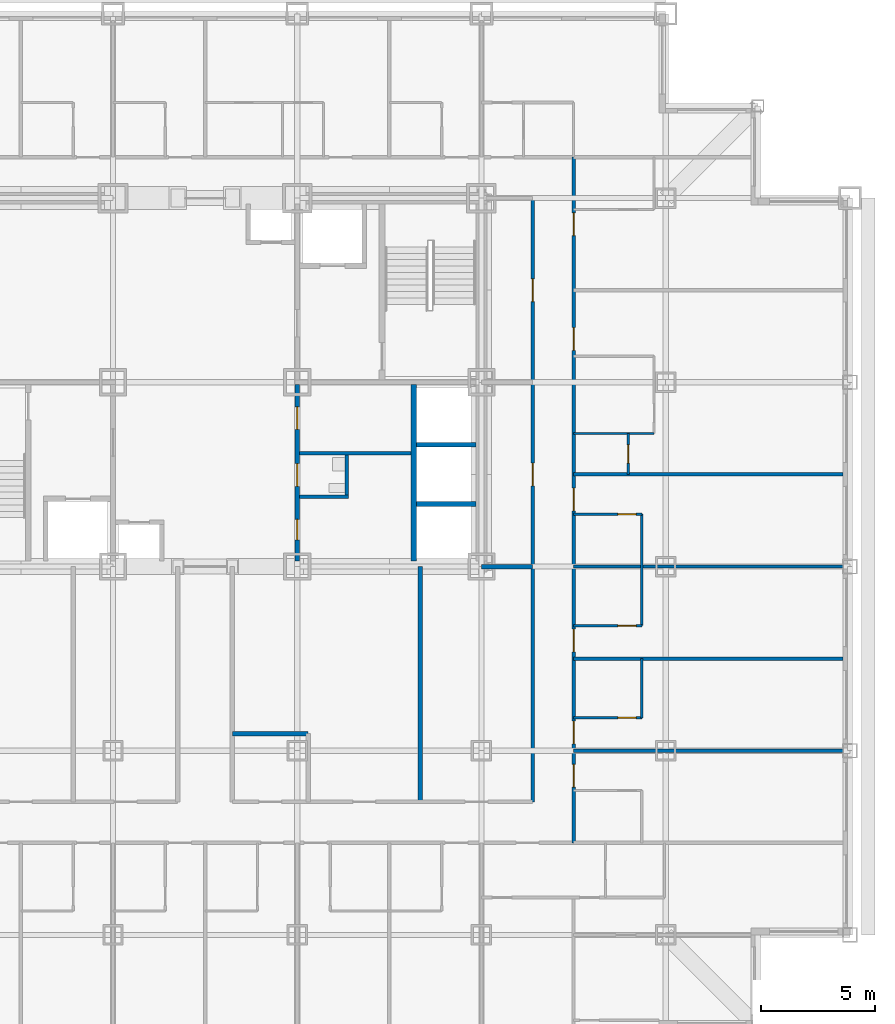
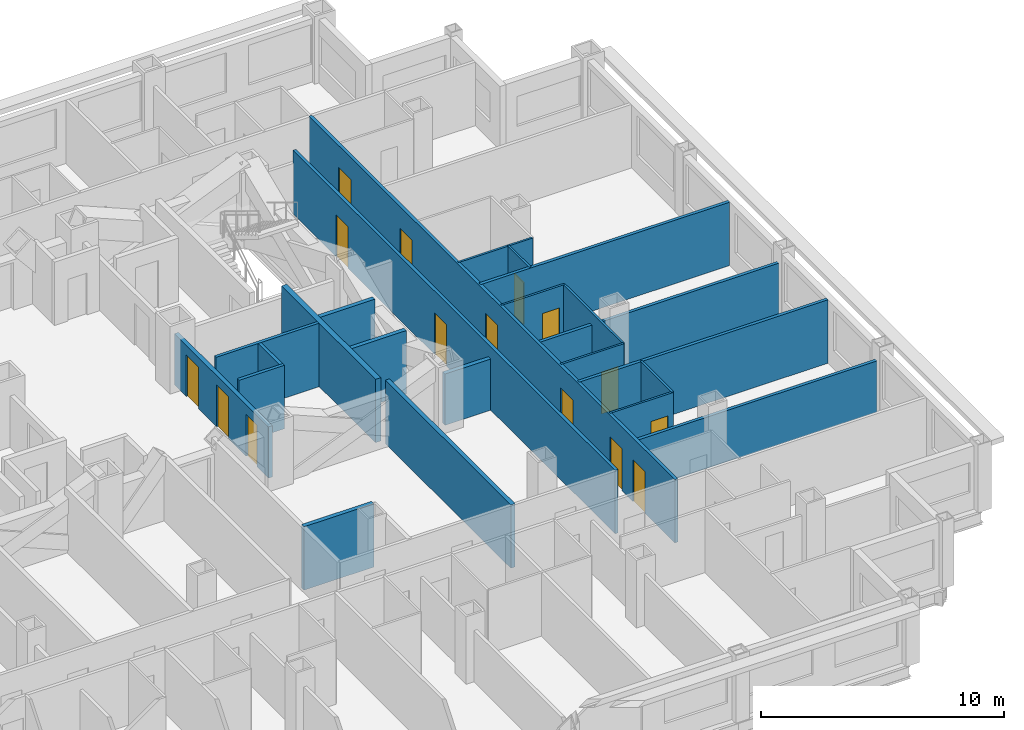
# One storey, part 7 of 13: 23 walls, 15 doors, 15 openings.
"""IFC4 building model written with IfcOpenShell, lengths in metres."""

from ifc_helpers import new_model, si_unit, direction, frame, frame_2d, origin, place, context, subcontext, project, spatial, rectangle, extrude, material, layer, layer_set, type_object, element, fill, save


model = new_model("IFC4")

# Units and contexts
model_context = context("Model", 3, precision=1e-05, world=origin(), true_north=direction((0.0, 1.0)))
body_context = subcontext(model_context, "Body", "Model", "MODEL_VIEW")
ifc_project = project(units=[si_unit("LENGTHUNIT", "METRE"), si_unit("AREAUNIT", "SQUARE_METRE"), si_unit("VOLUMEUNIT", "CUBIC_METRE"), si_unit("PLANEANGLEUNIT", "RADIAN"), si_unit("MASSUNIT", "GRAM", prefix="KILO")], contexts=[model_context])

# Site, building, storey
site_placement = place(None, origin())
site = spatial("IfcSite", under=ifc_project, at=site_placement, CompositionType="ELEMENT")
building_placement = place(site_placement, origin())
building = spatial("IfcBuilding", under=site, at=building_placement, Name="Kopane Lantern Tower", CompositionType="ELEMENT")
storey_placement = place(building_placement, frame((0.0, 0.0, 63.60009765625)))
storey = spatial("IfcBuildingStorey", under=building, at=storey_placement, Name="L15", CompositionType="ELEMENT", Elevation=63.60009765625)

# Wall
ifc_material_1 = material(Name="Moisture-resistant board on steel studs", Category="steel")
ifc_layer_1 = layer(ifc_material_1, 0.10009765625)
ifc_layer_set_1 = layer_set([ifc_layer_1], Name="BATHROOM WALL 100")
wall_type_1 = type_object("IfcWallType", Name="BATHROOM WALL 100", PredefinedType="PARTITIONING", material=ifc_layer_set_1)
wall_1_placement = place(storey_placement, frame((47.550048828125, 17.64990234375, 0.0), z_axis=(0.0, 0.0, 1.0), x_axis=(0.0, 1.0, 0.0)))
element("IfcWall", 1, at=wall_1_placement, inside=storey, type_object=wall_type_1, Name="Bathroom Wall 100 L15", PredefinedType="PARTITIONING", context=body_context, shape_type="SweptSolid", body=[
    extrude(rectangle(XDim=2.60009765625, YDim=0.10009765625, at=frame_2d((1.300048828125, 0.0))), origin(), (0.0, 0.0, 1.0), 3.18994140625),
])

# Wall, opening, door
wall_2_placement = place(storey_placement, frame((44.550048828125, 17.64990234375, 0.0), z_axis=(0.0, 0.0, 1.0), x_axis=(1.0, 0.0, 0.0)))
wall_2 = element("IfcWall", 2, at=wall_2_placement, inside=storey, type_object=wall_type_1, Name="Bathroom Wall 100 L15", PredefinedType="PARTITIONING", context=body_context, shape_type="SweptSolid", body=[
    extrude(rectangle(XDim=3.0, YDim=0.10009765625, at=frame_2d((1.5, 0.0))), origin(), (0.0, 0.0, 1.0), 3.18994140625),
])
opening_1_placement = place(wall_2_placement, frame((1.949951171875, 0.0, 0.0)))
opening_1 = element("IfcOpeningElement", 3, at=opening_1_placement, cuts=wall_2, Name="Opening L15-056", PredefinedType="OPENING", context=body_context, shape_type="SweptSolid", body=[
    extrude(rectangle(XDim=0.800048828125, YDim=2.10009765625, at=frame_2d((0.39990234375, 1.050048828125))), frame((0.0, 0.06005859375, 0.0), z_axis=(0.0, -1.0, 0.0), x_axis=(1.0, 0.0, 0.0)), (0.0, 0.0, 1.0), 0.1201171875),
])
ifc_material_2 = material(Name="Timber door set", Category="wood")
door_type_1 = type_object("IfcDoorType", Name="DOOR D2 800x2100", OperationType="SINGLE_SWING_LEFT", PredefinedType="DOOR", material=ifc_material_2)
door_1_placement = place(opening_1_placement, origin())
door_1 = element("IfcDoor", 4, at=door_1_placement, inside=storey, type_object=door_type_1, Name="Door L15-056", OperationType="SINGLE_SWING_RIGHT", OverallHeight=2.10009765625, OverallWidth=0.800048828125, PredefinedType="DOOR", context=body_context, shape_type="SweptSolid", body=[
    extrude(rectangle(XDim=0.800048828125, YDim=2.10009765625, at=frame_2d((0.39990234375, 1.050048828125))), frame((0.0, 0.02490234375, 0.0), z_axis=(0.0, -1.0, 0.0), x_axis=(1.0, 0.0, 0.0)), (0.0, 0.0, 1.0), 0.050048828125),
])
fill(opening_1, door_1)

# Wall
wall_3_placement = place(storey_placement, frame((47.550048828125, 21.699951171875, 0.0), z_axis=(0.0, 0.0, 1.0), x_axis=(0.0, 1.0, 0.0)))
element("IfcWall", 5, at=wall_3_placement, inside=storey, type_object=wall_type_1, Name="Bathroom Wall 100 L15", PredefinedType="PARTITIONING", context=body_context, shape_type="SweptSolid", body=[
    extrude(rectangle(XDim=4.900146484375, YDim=0.10009765625, at=frame_2d((2.4501953125, 0.0))), origin(), (0.0, 0.0, 1.0), 3.18994140625),
])

# Wall, opening, door
wall_4_placement = place(storey_placement, frame((44.550048828125, 21.699951171875, 0.0), z_axis=(0.0, 0.0, 1.0), x_axis=(1.0, 0.0, 0.0)))
wall_4 = element("IfcWall", 6, at=wall_4_placement, inside=storey, type_object=wall_type_1, Name="Bathroom Wall 100 L15", PredefinedType="PARTITIONING", context=body_context, shape_type="SweptSolid", body=[
    extrude(rectangle(XDim=3.0, YDim=0.10009765625, at=frame_2d((1.5, 0.0))), origin(), (0.0, 0.0, 1.0), 3.18994140625),
])
opening_2_placement = place(wall_4_placement, frame((1.949951171875, 0.0, 0.0)))
opening_2 = element("IfcOpeningElement", 7, at=opening_2_placement, cuts=wall_4, Name="Opening L15-058", PredefinedType="OPENING", context=body_context, shape_type="SweptSolid", body=[
    extrude(rectangle(XDim=0.800048828125, YDim=2.10009765625, at=frame_2d((0.39990234375, 1.050048828125))), frame((0.0, 0.06005859375, 0.0), z_axis=(0.0, -1.0, 0.0), x_axis=(1.0, 0.0, 0.0)), (0.0, 0.0, 1.0), 0.1201171875),
])
door_2_placement = place(opening_2_placement, origin())
door_2 = element("IfcDoor", 8, at=door_2_placement, inside=storey, type_object=door_type_1, Name="Door L15-058", OperationType="SINGLE_SWING_RIGHT", OverallHeight=2.10009765625, OverallWidth=0.800048828125, PredefinedType="DOOR", context=body_context, shape_type="SweptSolid", body=[
    extrude(rectangle(XDim=0.800048828125, YDim=2.10009765625, at=frame_2d((0.39990234375, 1.050048828125))), frame((0.0, 0.02490234375, 0.0), z_axis=(0.0, -1.0, 0.0), x_axis=(1.0, 0.0, 0.0)), (0.0, 0.0, 1.0), 0.050048828125),
])
fill(opening_2, door_2)

wall_5_placement = place(storey_placement, frame((44.550048828125, 26.60009765625, 0.0), z_axis=(0.0, 0.0, 1.0), x_axis=(1.0, 0.0, 0.0)))
wall_5 = element("IfcWall", 9, at=wall_5_placement, inside=storey, type_object=wall_type_1, Name="Bathroom Wall 100 L15", PredefinedType="PARTITIONING", context=body_context, shape_type="SweptSolid", body=[
    extrude(rectangle(XDim=3.0, YDim=0.10009765625, at=frame_2d((1.5, 0.0))), origin(), (0.0, 0.0, 1.0), 3.18994140625),
])
opening_3_placement = place(wall_5_placement, frame((1.949951171875, 0.0, 0.0)))
opening_3 = element("IfcOpeningElement", 10, at=opening_3_placement, cuts=wall_5, Name="Opening L15-060", PredefinedType="OPENING", context=body_context, shape_type="SweptSolid", body=[
    extrude(rectangle(XDim=0.800048828125, YDim=2.10009765625, at=frame_2d((0.39990234375, 1.050048828125))), frame((0.0, 0.06005859375, 0.0), z_axis=(0.0, -1.0, 0.0), x_axis=(1.0, 0.0, 0.0)), (0.0, 0.0, 1.0), 0.1201171875),
])
door_3_placement = place(opening_3_placement, origin())
door_3 = element("IfcDoor", 11, at=door_3_placement, inside=storey, type_object=door_type_1, Name="Door L15-060", OperationType="SINGLE_SWING_LEFT", OverallHeight=2.10009765625, OverallWidth=0.800048828125, PredefinedType="DOOR", context=body_context, shape_type="SweptSolid", body=[
    extrude(rectangle(XDim=0.800048828125, YDim=2.10009765625, at=frame_2d((0.39990234375, 1.050048828125))), frame((0.0, 0.02490234375, 0.0), z_axis=(0.0, -1.0, 0.0), x_axis=(1.0, 0.0, 0.0)), (0.0, 0.0, 1.0), 0.050048828125),
])
fill(opening_3, door_3)

wall_6_placement = place(storey_placement, frame((46.949951171875, 28.35009765625, 0.0), z_axis=(0.0, 0.0, 1.0), x_axis=(0.0, 1.0, 0.0)))
wall_6 = element("IfcWall", 12, at=wall_6_placement, inside=storey, type_object=wall_type_1, Name="Bathroom Wall 100 L15", PredefinedType="PARTITIONING", context=body_context, shape_type="SweptSolid", body=[
    extrude(rectangle(XDim=1.7998046875, YDim=0.10009765625, at=frame_2d((0.89990234375, 0.0))), origin(), (0.0, 0.0, 1.0), 3.18994140625),
])
opening_4_placement = place(wall_6_placement, frame((0.5, 0.0, 0.0)))
opening_4 = element("IfcOpeningElement", 13, at=opening_4_placement, cuts=wall_6, Name="Opening L15-063", PredefinedType="OPENING", context=body_context, shape_type="SweptSolid", body=[
    extrude(rectangle(XDim=0.800048828125, YDim=2.10009765625, at=frame_2d((0.39990234375, 1.050048828125))), frame((0.0, 0.06005859375, 0.0), z_axis=(0.0, -1.0, 0.0), x_axis=(1.0, 0.0, 0.0)), (0.0, 0.0, 1.0), 0.1201171875),
])
door_4_placement = place(opening_4_placement, origin())
door_4 = element("IfcDoor", 14, at=door_4_placement, inside=storey, type_object=door_type_1, Name="Door L15-063", OperationType="SINGLE_SWING_LEFT", OverallHeight=2.10009765625, OverallWidth=0.800048828125, PredefinedType="DOOR", context=body_context, shape_type="SweptSolid", body=[
    extrude(rectangle(XDim=0.800048828125, YDim=2.10009765625, at=frame_2d((0.39990234375, 1.050048828125))), frame((0.0, 0.02490234375, 0.0), z_axis=(0.0, -1.0, 0.0), x_axis=(1.0, 0.0, 0.0)), (0.0, 0.0, 1.0), 0.050048828125),
])
fill(opening_4, door_4)

# Walls
wall_7_placement = place(storey_placement, frame((44.550048828125, 30.14990234375, 0.0), z_axis=(0.0, 0.0, 1.0), x_axis=(1.0, 0.0, 0.0)))
element("IfcWall", 15, at=wall_7_placement, inside=storey, type_object=wall_type_1, Name="Bathroom Wall 100 L15", PredefinedType="PARTITIONING", context=body_context, shape_type="SweptSolid", body=[
    extrude(rectangle(XDim=3.5400390625, YDim=0.10009765625, at=frame_2d((1.77001953125, 0.0))), origin(), (0.0, 0.0, 1.0), 3.18994140625),
])
ifc_material_3 = material(Name="Gypsum partition EI 60", Category="gypsum")
ifc_layer_2 = layer(ifc_material_3, 0.14990234375)
ifc_layer_set_2 = layer_set([ifc_layer_2], Name="CORE ROOM PARTITION 150 EI 60")
wall_type_2 = type_object("IfcWallType", Name="CORE ROOM PARTITION 150 EI 60", PredefinedType="PARTITIONING", material=ifc_layer_set_2)
wall_8_placement = place(storey_placement, frame((32.5, 27.375, 0.0), z_axis=(0.0, 0.0, 1.0), x_axis=(1.0, 0.0, 0.0)))
element("IfcWall", 16, at=wall_8_placement, inside=storey, type_object=wall_type_2, Name="Core room partition L15 E1", PredefinedType="PARTITIONING", context=body_context, shape_type="SweptSolid", body=[
    extrude(rectangle(XDim=2.14990234375, YDim=0.14990234375, at=frame_2d((1.074951171875, 0.0))), origin(), (0.0, 0.0, 1.0), 3.18994140625),
])
wall_9_placement = place(storey_placement, frame((32.5, 29.27490234375, 0.0), z_axis=(0.0, 0.0, 1.0), x_axis=(1.0, 0.0, 0.0)))
element("IfcWall", 17, at=wall_9_placement, inside=storey, type_object=wall_type_2, Name="Core room partition L15 E2", PredefinedType="PARTITIONING", context=body_context, shape_type="SweptSolid", body=[
    extrude(rectangle(XDim=4.89990234375, YDim=0.14990234375, at=frame_2d((2.449951171875, 0.0))), origin(), (0.0, 0.0, 1.0), 3.18994140625),
])
wall_10_placement = place(storey_placement, frame((34.574951171875, 27.449951171875, 0.0), z_axis=(0.0, 0.0, 1.0), x_axis=(0.0, 1.0, 0.0)))
element("IfcWall", 18, at=wall_10_placement, inside=storey, type_object=wall_type_2, Name="Core room partition L15 EB1", PredefinedType="PARTITIONING", context=body_context, shape_type="SweptSolid", body=[
    extrude(rectangle(XDim=1.75, YDim=0.14990234375, at=frame_2d((0.875, 0.0))), origin(), (0.0, 0.0, 1.0), 3.18994140625),
])

# Wall, openings, doors
ifc_material_4 = material(Name="Gypsum partition EI 60", Category="gypsum")
ifc_layer_3 = layer(ifc_material_4, 0.199951171875)
ifc_layer_set_3 = layer_set([ifc_layer_3], Name="CORE ROOM WALL 200 EI 60")
wall_type_3 = type_object("IfcWallType", Name="CORE ROOM WALL 200 EI 60", PredefinedType="PARTITIONING", material=ifc_layer_set_3)
wall_11_placement = place(storey_placement, frame((32.39990234375, 24.550048828125, 0.0), z_axis=(0.0, 0.0, 1.0), x_axis=(0.0, 1.0, 0.0)))
wall_11 = element("IfcWall", 19, at=wall_11_placement, inside=storey, type_object=wall_type_3, Name="Core room wall L15 XE", PredefinedType="PARTITIONING", context=body_context, shape_type="SweptSolid", body=[
    extrude(rectangle(XDim=7.75, YDim=0.199951171875, at=frame_2d((3.875, 0.0))), origin(), (0.0, 0.0, 1.0), 2.57763671875),
])
opening_5_placement = place(wall_11_placement, frame((0.925048828125, 0.0, 0.0)))
opening_5 = element("IfcOpeningElement", 20, at=opening_5_placement, cuts=wall_11, Name="Opening 15.C20", PredefinedType="OPENING", context=body_context, shape_type="SweptSolid", body=[
    extrude(rectangle(XDim=0.89990234375, YDim=2.10009765625, at=frame_2d((0.449951171875, 1.050048828125))), frame((0.0, 0.10986328125, 0.0), z_axis=(0.0, -1.0, 0.0), x_axis=(1.0, 0.0, 0.0)), (0.0, 0.0, 1.0), 0.219970703125),
])
opening_6_placement = place(wall_11_placement, frame((3.27490234375, 0.0, 0.0)))
opening_6 = element("IfcOpeningElement", 21, at=opening_6_placement, cuts=wall_11, Name="Opening 15.C21", PredefinedType="OPENING", context=body_context, shape_type="SweptSolid", body=[
    extrude(rectangle(XDim=1.0, YDim=2.10009765625, at=frame_2d((0.5, 1.050048828125))), frame((0.0, 0.10986328125, 0.0), z_axis=(0.0, -1.0, 0.0), x_axis=(1.0, 0.0, 0.0)), (0.0, 0.0, 1.0), 0.219970703125),
])
opening_7_placement = place(wall_11_placement, frame((5.77490234375, 0.0, 0.0)))
opening_7 = element("IfcOpeningElement", 22, at=opening_7_placement, cuts=wall_11, Name="Opening 15.C22", PredefinedType="OPENING", context=body_context, shape_type="SweptSolid", body=[
    extrude(rectangle(XDim=1.0, YDim=2.10009765625, at=frame_2d((0.5, 1.050048828125))), frame((0.0, 0.10986328125, 0.0), z_axis=(0.0, -1.0, 0.0), x_axis=(1.0, 0.0, 0.0)), (0.0, 0.0, 1.0), 0.219970703125),
])
ifc_material_5 = material(Name="Steel door set", Category="steel")
door_type_2 = type_object("IfcDoorType", Name="CORE ROOM DOOR 1000x2100 FD30S", OperationType="SINGLE_SWING_RIGHT", PredefinedType="DOOR", material=ifc_material_5)
door_5_placement = place(opening_6_placement, origin())
door_5 = element("IfcDoor", 23, at=door_5_placement, inside=storey, type_object=door_type_2, Name="Door Staff WC L15", OperationType="SINGLE_SWING_LEFT", OverallHeight=2.10009765625, OverallWidth=1.0, PredefinedType="DOOR", context=body_context, shape_type="SweptSolid", body=[
    extrude(rectangle(XDim=1.0, YDim=2.10009765625, at=frame_2d((0.5, 1.050048828125))), frame((0.0, 0.02490234375, 0.0), z_axis=(0.0, -1.0, 0.0), x_axis=(1.0, 0.0, 0.0)), (0.0, 0.0, 1.0), 0.050048828125),
])
fill(opening_6, door_5)
door_6_placement = place(opening_7_placement, origin())
door_6 = element("IfcDoor", 24, at=door_6_placement, inside=storey, type_object=door_type_2, Name="Door Guest pantry L15", OperationType="SINGLE_SWING_RIGHT", OverallHeight=2.10009765625, OverallWidth=1.0, PredefinedType="DOOR", context=body_context, shape_type="SweptSolid", body=[
    extrude(rectangle(XDim=1.0, YDim=2.10009765625, at=frame_2d((0.5, 1.050048828125))), frame((0.0, 0.02490234375, 0.0), z_axis=(0.0, -1.0, 0.0), x_axis=(1.0, 0.0, 0.0)), (0.0, 0.0, 1.0), 0.050048828125),
])
fill(opening_7, door_6)
ifc_material_6 = material(Name="Steel door set", Category="steel")
door_type_3 = type_object("IfcDoorType", Name="CORE ROOM DOOR 900x2100 FD60", OperationType="SINGLE_SWING_LEFT", PredefinedType="DOOR", material=ifc_material_6)
door_7_placement = place(opening_5_placement, origin())
door_7 = element("IfcDoor", 25, at=door_7_placement, inside=storey, type_object=door_type_3, Name="Door Luggage store L15", OperationType="SINGLE_SWING_LEFT", OverallHeight=2.10009765625, OverallWidth=0.89990234375, PredefinedType="DOOR", context=body_context, shape_type="SweptSolid", body=[
    extrude(rectangle(XDim=0.89990234375, YDim=2.10009765625, at=frame_2d((0.449951171875, 1.050048828125))), frame((0.0, 0.02490234375, 0.0), z_axis=(0.0, -1.0, 0.0), x_axis=(1.0, 0.0, 0.0)), (0.0, 0.0, 1.0), 0.050048828125),
])
fill(opening_5, door_7)

# Wall
ifc_material_7 = material(Name="Gypsum shaft wall EI 120", Category="gypsum")
ifc_layer_4 = layer(ifc_material_7, 0.25)
ifc_layer_set_4 = layer_set([ifc_layer_4], Name="CORE SHAFT WALL 250 EI 120")
wall_type_4 = type_object("IfcWallType", Name="CORE SHAFT WALL 250 EI 120", PredefinedType="SOLIDWALL", material=ifc_layer_set_4)
wall_12_placement = place(storey_placement, frame((37.52490234375, 24.550048828125, 0.0), z_axis=(0.0, 0.0, 1.0), x_axis=(0.0, 1.0, 0.0)))
element("IfcWall", 26, at=wall_12_placement, inside=storey, type_object=wall_type_4, Name="Core shaft wall L15 XLR", PredefinedType="SOLIDWALL", context=body_context, shape_type="SweptSolid", body=[
    extrude(rectangle(XDim=7.75, YDim=0.25, at=frame_2d((3.875, 0.0))), origin(), (0.0, 0.0, 1.0), 3.18994140625),
])

# Wall, openings, doors
ifc_material_8 = material(Name="Gypsum board on steel studs", Category="steel")
ifc_layer_5 = layer(ifc_material_8, 0.14990234375)
ifc_layer_set_5 = layer_set([ifc_layer_5], Name="CORRIDOR WALL 150 EI 60")
wall_type_5 = type_object("IfcWallType", Name="CORRIDOR WALL 150 EI 60", PredefinedType="PARTITIONING", material=ifc_layer_set_5)
wall_13_placement = place(storey_placement, frame((44.550048828125, 12.14990234375, 0.0), z_axis=(0.0, 0.0, 1.0), x_axis=(0.0, 1.0, 0.0)))
wall_13 = element("IfcWall", 27, at=wall_13_placement, inside=storey, type_object=wall_type_5, Name="Corridor Wall 150 Ei 60 L15", PredefinedType="PARTITIONING", context=body_context, shape_type="SweptSolid", body=[
    extrude(rectangle(XDim=30.150146484375, YDim=0.14990234375, at=frame_2d((15.0751953125, 0.0))), origin(), (0.0, 0.0, 1.0), 3.18994140625),
])
opening_8_placement = place(wall_13_placement, frame((2.449951171875, 0.0, 0.0)))
opening_8 = element("IfcOpeningElement", 28, at=opening_8_placement, cuts=wall_13, Name="Opening L15-055", PredefinedType="OPENING", context=body_context, shape_type="SweptSolid", body=[
    extrude(rectangle(XDim=1.0, YDim=2.10009765625, at=frame_2d((0.5, 1.050048828125))), frame((0.0, 0.0849609375, 0.0), z_axis=(0.0, -1.0, 0.0), x_axis=(1.0, 0.0, 0.0)), (0.0, 0.0, 1.0), 0.169921875),
])
opening_9_placement = place(wall_13_placement, frame((4.35009765625, 0.0, 0.0)))
opening_9 = element("IfcOpeningElement", 29, at=opening_9_placement, cuts=wall_13, Name="Opening L15-057", PredefinedType="OPENING", context=body_context, shape_type="SweptSolid", body=[
    extrude(rectangle(XDim=1.0, YDim=2.10009765625, at=frame_2d((0.5, 1.050048828125))), frame((0.0, 0.0849609375, 0.0), z_axis=(0.0, -1.0, 0.0), x_axis=(1.0, 0.0, 0.0)), (0.0, 0.0, 1.0), 0.169921875),
])
opening_10_placement = place(wall_13_placement, frame((8.39990234375, 0.0, 0.0)))
opening_10 = element("IfcOpeningElement", 30, at=opening_10_placement, cuts=wall_13, Name="Opening L15-059", PredefinedType="OPENING", context=body_context, shape_type="SweptSolid", body=[
    extrude(rectangle(XDim=1.0, YDim=2.10009765625, at=frame_2d((0.5, 1.050048828125))), frame((0.0, 0.0849609375, 0.0), z_axis=(0.0, -1.0, 0.0), x_axis=(1.0, 0.0, 0.0)), (0.0, 0.0, 1.0), 0.169921875),
])
opening_11_placement = place(wall_13_placement, frame((14.60009765625, 0.0, 0.0)))
opening_11 = element("IfcOpeningElement", 31, at=opening_11_placement, cuts=wall_13, Name="Opening L15-061", PredefinedType="OPENING", context=body_context, shape_type="SweptSolid", body=[
    extrude(rectangle(XDim=1.0, YDim=2.10009765625, at=frame_2d((0.5, 1.050048828125))), frame((0.0, 0.0849609375, 0.0), z_axis=(0.0, -1.0, 0.0), x_axis=(1.0, 0.0, 0.0)), (0.0, 0.0, 1.0), 0.169921875),
])
opening_12_placement = place(wall_13_placement, frame((21.64990234375, 0.0, 0.0)))
opening_12 = element("IfcOpeningElement", 32, at=opening_12_placement, cuts=wall_13, Name="Opening L15-064", PredefinedType="OPENING", context=body_context, shape_type="SweptSolid", body=[
    extrude(rectangle(XDim=1.0, YDim=2.10009765625, at=frame_2d((0.5, 1.050048828125))), frame((0.0, 0.0849609375, 0.0), z_axis=(0.0, -1.0, 0.0), x_axis=(1.0, 0.0, 0.0)), (0.0, 0.0, 1.0), 0.169921875),
])
opening_13_placement = place(wall_13_placement, frame((26.699951171875, 0.0, 0.0)))
opening_13 = element("IfcOpeningElement", 33, at=opening_13_placement, cuts=wall_13, Name="Opening L15-066", PredefinedType="OPENING", context=body_context, shape_type="SweptSolid", body=[
    extrude(rectangle(XDim=1.0, YDim=2.10009765625, at=frame_2d((0.5, 1.050048828125))), frame((0.0, 0.0849609375, 0.0), z_axis=(0.0, -1.0, 0.0), x_axis=(1.0, 0.0, 0.0)), (0.0, 0.0, 1.0), 0.169921875),
])
ifc_material_9 = material(Name="Steel door set", Category="steel")
door_type_4 = type_object("IfcDoorType", Name="DOOR D1 1000x2100 FD30S", OperationType="SINGLE_SWING_LEFT", PredefinedType="DOOR", material=ifc_material_9)
door_8_placement = place(opening_8_placement, origin())
door_8 = element("IfcDoor", 34, at=door_8_placement, inside=storey, type_object=door_type_4, Name="Door L15-055", OperationType="SINGLE_SWING_RIGHT", OverallHeight=2.10009765625, OverallWidth=1.0, PredefinedType="DOOR", context=body_context, shape_type="SweptSolid", body=[
    extrude(rectangle(XDim=1.0, YDim=2.10009765625, at=frame_2d((0.5, 1.050048828125))), frame((0.0, 0.02490234375, 0.0), z_axis=(0.0, -1.0, 0.0), x_axis=(1.0, 0.0, 0.0)), (0.0, 0.0, 1.0), 0.050048828125),
])
fill(opening_8, door_8)
door_9_placement = place(opening_9_placement, origin())
door_9 = element("IfcDoor", 35, at=door_9_placement, inside=storey, type_object=door_type_4, Name="Door L15-057", OperationType="SINGLE_SWING_LEFT", OverallHeight=2.10009765625, OverallWidth=1.0, PredefinedType="DOOR", context=body_context, shape_type="SweptSolid", body=[
    extrude(rectangle(XDim=1.0, YDim=2.10009765625, at=frame_2d((0.5, 1.050048828125))), frame((0.0, 0.02490234375, 0.0), z_axis=(0.0, -1.0, 0.0), x_axis=(1.0, 0.0, 0.0)), (0.0, 0.0, 1.0), 0.050048828125),
])
fill(opening_9, door_9)
door_10_placement = place(opening_10_placement, origin())
door_10 = element("IfcDoor", 36, at=door_10_placement, inside=storey, type_object=door_type_4, Name="Door L15-059", OperationType="SINGLE_SWING_LEFT", OverallHeight=2.10009765625, OverallWidth=1.0, PredefinedType="DOOR", context=body_context, shape_type="SweptSolid", body=[
    extrude(rectangle(XDim=1.0, YDim=2.10009765625, at=frame_2d((0.5, 1.050048828125))), frame((0.0, 0.02490234375, 0.0), z_axis=(0.0, -1.0, 0.0), x_axis=(1.0, 0.0, 0.0)), (0.0, 0.0, 1.0), 0.050048828125),
])
fill(opening_10, door_10)
door_11_placement = place(opening_11_placement, origin())
door_11 = element("IfcDoor", 37, at=door_11_placement, inside=storey, type_object=door_type_4, Name="Door L15-061", OperationType="SINGLE_SWING_RIGHT", OverallHeight=2.10009765625, OverallWidth=1.0, PredefinedType="DOOR", context=body_context, shape_type="SweptSolid", body=[
    extrude(rectangle(XDim=1.0, YDim=2.10009765625, at=frame_2d((0.5, 1.050048828125))), frame((0.0, 0.02490234375, 0.0), z_axis=(0.0, -1.0, 0.0), x_axis=(1.0, 0.0, 0.0)), (0.0, 0.0, 1.0), 0.050048828125),
])
fill(opening_11, door_11)
door_12_placement = place(opening_12_placement, origin())
door_12 = element("IfcDoor", 38, at=door_12_placement, inside=storey, type_object=door_type_4, Name="Door L15-064", OperationType="SINGLE_SWING_RIGHT", OverallHeight=2.10009765625, OverallWidth=1.0, PredefinedType="DOOR", context=body_context, shape_type="SweptSolid", body=[
    extrude(rectangle(XDim=1.0, YDim=2.10009765625, at=frame_2d((0.5, 1.050048828125))), frame((0.0, 0.02490234375, 0.0), z_axis=(0.0, -1.0, 0.0), x_axis=(1.0, 0.0, 0.0)), (0.0, 0.0, 1.0), 0.050048828125),
])
fill(opening_12, door_12)
door_13_placement = place(opening_13_placement, origin())
door_13 = element("IfcDoor", 39, at=door_13_placement, inside=storey, type_object=door_type_4, Name="Door L15-066", OperationType="SINGLE_SWING_LEFT", OverallHeight=2.10009765625, OverallWidth=1.0, PredefinedType="DOOR", context=body_context, shape_type="SweptSolid", body=[
    extrude(rectangle(XDim=1.0, YDim=2.10009765625, at=frame_2d((0.5, 1.050048828125))), frame((0.0, 0.02490234375, 0.0), z_axis=(0.0, -1.0, 0.0), x_axis=(1.0, 0.0, 0.0)), (0.0, 0.0, 1.0), 0.050048828125),
])
fill(opening_13, door_13)

wall_14_placement = place(storey_placement, frame((42.75, 13.949951171875, 0.0), z_axis=(0.0, 0.0, 1.0), x_axis=(0.0, 1.0, 0.0)))
wall_14 = element("IfcWall", 40, at=wall_14_placement, inside=storey, type_object=wall_type_5, Name="Corridor Wall 150 Ei 60 L15", PredefinedType="PARTITIONING", context=body_context, shape_type="SweptSolid", body=[
    extrude(rectangle(XDim=26.550048828125, YDim=0.14990234375, at=frame_2d((13.27490234375, 0.0))), origin(), (0.0, 0.0, 1.0), 3.18994140625),
])
opening_14_placement = place(wall_14_placement, frame((13.89990234375, 0.0, 0.0)))
opening_14 = element("IfcOpeningElement", 41, at=opening_14_placement, cuts=wall_14, Name="Opening L15-005", PredefinedType="OPENING", context=body_context, shape_type="SweptSolid", body=[
    extrude(rectangle(XDim=1.0, YDim=2.10009765625, at=frame_2d((0.5, 1.050048828125))), frame((0.0, 0.0849609375, 0.0), z_axis=(0.0, -1.0, 0.0), x_axis=(1.0, 0.0, 0.0)), (0.0, 0.0, 1.0), 0.169921875),
])
opening_15_placement = place(wall_14_placement, frame((22.0, 0.0, 0.0)))
opening_15 = element("IfcOpeningElement", 42, at=opening_15_placement, cuts=wall_14, Name="Opening L15-006", PredefinedType="OPENING", context=body_context, shape_type="SweptSolid", body=[
    extrude(rectangle(XDim=1.0, YDim=2.10009765625, at=frame_2d((0.5, 1.050048828125))), frame((0.0, 0.0849609375, 0.0), z_axis=(0.0, -1.0, 0.0), x_axis=(1.0, 0.0, 0.0)), (0.0, 0.0, 1.0), 0.169921875),
])
ifc_material_10 = material(Name="Steel door set", Category="steel")
door_type_5 = type_object("IfcDoorType", Name="DOOR D5 1000x2100 FD60", OperationType="SINGLE_SWING_LEFT", PredefinedType="DOOR", material=ifc_material_10)
door_14_placement = place(opening_14_placement, origin())
door_14 = element("IfcDoor", 43, at=door_14_placement, inside=storey, type_object=door_type_5, Name="Door L15-005", OperationType="SINGLE_SWING_LEFT", OverallHeight=2.10009765625, OverallWidth=1.0, PredefinedType="DOOR", context=body_context, shape_type="SweptSolid", body=[
    extrude(rectangle(XDim=1.0, YDim=2.10009765625, at=frame_2d((0.5, 1.050048828125))), frame((0.0, 0.02490234375, 0.0), z_axis=(0.0, -1.0, 0.0), x_axis=(1.0, 0.0, 0.0)), (0.0, 0.0, 1.0), 0.050048828125),
])
fill(opening_14, door_14)
door_15_placement = place(opening_15_placement, origin())
door_15 = element("IfcDoor", 44, at=door_15_placement, inside=storey, type_object=door_type_5, Name="Door L15-006", OperationType="SINGLE_SWING_RIGHT", OverallHeight=2.10009765625, OverallWidth=1.0, PredefinedType="DOOR", context=body_context, shape_type="SweptSolid", body=[
    extrude(rectangle(XDim=1.0, YDim=2.10009765625, at=frame_2d((0.5, 1.050048828125))), frame((0.0, 0.02490234375, 0.0), z_axis=(0.0, -1.0, 0.0), x_axis=(1.0, 0.0, 0.0)), (0.0, 0.0, 1.0), 0.050048828125),
])
fill(opening_15, door_15)

# Walls
ifc_material_11 = material(Name="Gypsum board on steel studs", Category="steel")
ifc_layer_6 = layer(ifc_material_11, 0.14990234375)
ifc_layer_set_6 = layer_set([ifc_layer_6], Name="DEMISING WALL 150 EI 60")
wall_type_6 = type_object("IfcWallType", Name="DEMISING WALL 150 EI 60", PredefinedType="PARTITIONING", material=ifc_layer_set_6)
wall_15_placement = place(storey_placement, frame((44.550048828125, 16.199951171875, 0.0), z_axis=(0.0, 0.0, 1.0), x_axis=(1.0, 0.0, 0.0)))
element("IfcWall", 45, at=wall_15_placement, inside=storey, type_object=wall_type_6, Name="Demising Wall 150 Ei 60 L15", PredefinedType="PARTITIONING", context=body_context, shape_type="SweptSolid", body=[
    extrude(rectangle(XDim=11.849853515625, YDim=0.14990234375, at=frame_2d((5.9248046875, 0.0))), origin(), (0.0, 0.0, 1.0), 2.57763671875),
])
wall_16_placement = place(storey_placement, frame((44.550048828125, 20.25, 0.0), z_axis=(0.0, 0.0, 1.0), x_axis=(1.0, 0.0, 0.0)))
element("IfcWall", 46, at=wall_16_placement, inside=storey, type_object=wall_type_6, Name="Demising Wall 150 Ei 60 L15", PredefinedType="PARTITIONING", context=body_context, shape_type="SweptSolid", body=[
    extrude(rectangle(XDim=11.849853515625, YDim=0.14990234375, at=frame_2d((5.9248046875, 0.0))), origin(), (0.0, 0.0, 1.0), 3.18994140625),
])
wall_17_placement = place(storey_placement, frame((44.550048828125, 24.300048828125, 0.0), z_axis=(0.0, 0.0, 1.0), x_axis=(1.0, 0.0, 0.0)))
element("IfcWall", 47, at=wall_17_placement, inside=storey, type_object=wall_type_6, Name="Demising Wall 150 Ei 60 L15", PredefinedType="PARTITIONING", context=body_context, shape_type="SweptSolid", body=[
    extrude(rectangle(XDim=11.849853515625, YDim=0.14990234375, at=frame_2d((5.9248046875, 0.0))), origin(), (0.0, 0.0, 1.0), 2.57763671875),
])
wall_18_placement = place(storey_placement, frame((44.550048828125, 28.35009765625, 0.0), z_axis=(0.0, 0.0, 1.0), x_axis=(1.0, 0.0, 0.0)))
element("IfcWall", 48, at=wall_18_placement, inside=storey, type_object=wall_type_6, Name="Demising Wall 150 Ei 60 L15", PredefinedType="PARTITIONING", context=body_context, shape_type="SweptSolid", body=[
    extrude(rectangle(XDim=11.849853515625, YDim=0.14990234375, at=frame_2d((5.9248046875, 0.0))), origin(), (0.0, 0.0, 1.0), 3.18994140625),
])
ifc_material_12 = material(Name="Concrete masonry", Category="masonry")
ifc_layer_7 = layer(ifc_material_12, 0.199951171875)
ifc_layer_set_7 = layer_set([ifc_layer_7], Name="PLANT ROOM WALL 200 EI 120")
wall_type_7 = type_object("IfcWallType", Name="PLANT ROOM WALL 200 EI 120", PredefinedType="SOLIDWALL", material=ifc_layer_set_7)
wall_19_placement = place(storey_placement, frame((29.550048828125, 16.949951171875, 0.0), z_axis=(0.0, 0.0, 1.0), x_axis=(1.0, 0.0, 0.0)))
element("IfcWall", 49, at=wall_19_placement, inside=storey, type_object=wall_type_7, Name="Plant Room Wall 200 Ei 120 L15", PredefinedType="SOLIDWALL", context=body_context, shape_type="SweptSolid", body=[
    extrude(rectangle(XDim=3.333251953125, YDim=0.199951171875, at=frame_2d((1.66650390625, 0.0))), origin(), (0.0, 0.0, 1.0), 3.18994140625),
])
wall_20_placement = place(storey_placement, frame((37.816650390625, 13.949951171875, 0.0), z_axis=(0.0, 0.0, 1.0), x_axis=(0.0, 1.0, 0.0)))
element("IfcWall", 50, at=wall_20_placement, inside=storey, type_object=wall_type_7, Name="Plant Room Wall 200 Ei 120 L15", PredefinedType="SOLIDWALL", context=body_context, shape_type="SweptSolid", body=[
    extrude(rectangle(XDim=10.35009765625, YDim=0.199951171875, at=frame_2d((5.175048828125, 0.0))), origin(), (0.0, 0.0, 1.0), 3.18994140625),
])
wall_21_placement = place(storey_placement, frame((40.5, 24.300048828125, 0.0), z_axis=(0.0, 0.0, 1.0), x_axis=(1.0, 0.0, 0.0)))
element("IfcWall", 51, at=wall_21_placement, inside=storey, type_object=wall_type_7, Name="Plant Room Wall 200 Ei 120 L15", PredefinedType="SOLIDWALL", context=body_context, shape_type="SweptSolid", body=[
    extrude(rectangle(XDim=2.25, YDim=0.199951171875, at=frame_2d((1.125, 0.0))), origin(), (0.0, 0.0, 1.0), 2.57763671875),
])
ifc_material_13 = material(Name="Gypsum shaft wall EI 120", Category="gypsum")
ifc_layer_8 = layer(ifc_material_13, 0.199951171875)
ifc_layer_set_8 = layer_set([ifc_layer_8], Name="SHAFT WALL 200 EI 120")
wall_type_8 = type_object("IfcWallType", Name="SHAFT WALL 200 EI 120", PredefinedType="SOLIDWALL", material=ifc_layer_set_8)
for number, where, z_axis, x_axis, name in (
    (52, (37.64990234375, 27.050048828125, 0.0), (0.0, 0.0, 1.0), (1.0, 0.0, 0.0), "Core shaft wall L15 YLR12"),
    (53, (37.64990234375, 29.64990234375, 0.0), (0.0, 0.0, 1.0), (1.0, 0.0, 0.0), "Core shaft wall L15 YLR23"),
):
    element("IfcWall", number, at=place(storey_placement, frame(where, z_axis=z_axis, x_axis=x_axis)), inside=storey, type_object=wall_type_8, Name=name, PredefinedType="SOLIDWALL", context=body_context, shape_type="SweptSolid", body=[
        extrude(rectangle(XDim=2.60009765625, YDim=0.199951171875, at=frame_2d((1.300048828125, 0.0))), origin(), (0.0, 0.0, 1.0), 3.18994140625),
    ])

save(model, "model.ifc")
